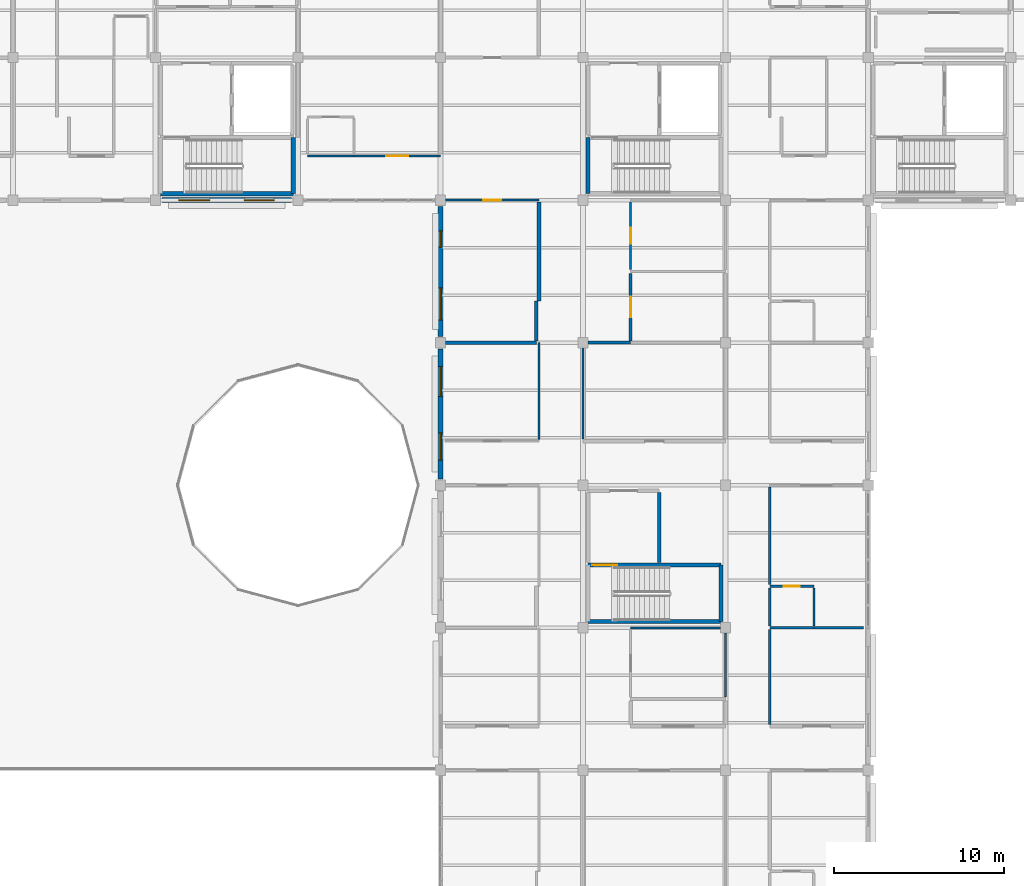
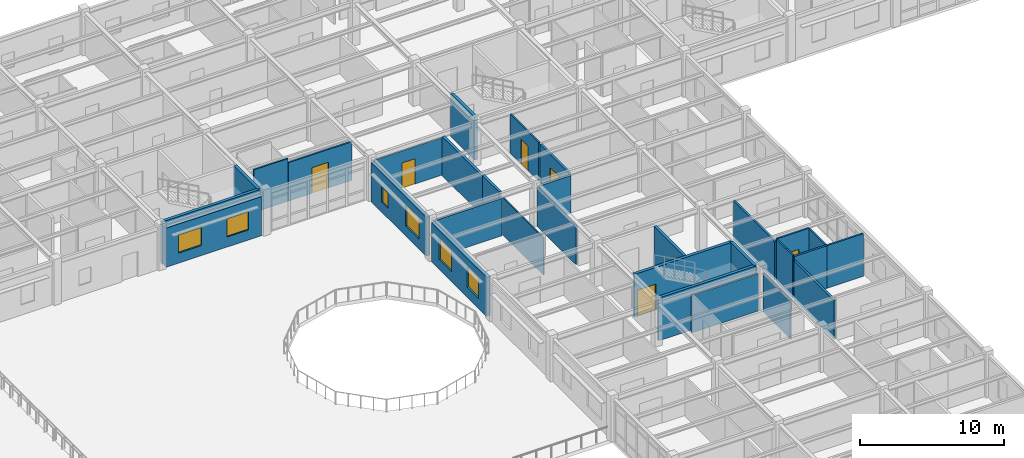
# One storey, part 59 of 86: 30 walls, 6 doors, 6 windows, 12 openings.
"""IFC4 building model written with IfcOpenShell, lengths in metres."""

from ifc_helpers import new_model, si_unit, direction, frame, frame_2d, origin, place, context, subcontext, project, spatial, rectangle, extrude, material, layer, layer_set, type_object, element, fill, save


model = new_model("IFC4")

# Units and contexts
model_context = context("Model", 3, precision=1e-05, world=origin(), true_north=direction((0.0, 1.0)))
body_context = subcontext(model_context, "Body", "Model", "MODEL_VIEW")
ifc_project = project(units=[si_unit("LENGTHUNIT", "METRE"), si_unit("AREAUNIT", "SQUARE_METRE"), si_unit("VOLUMEUNIT", "CUBIC_METRE"), si_unit("PLANEANGLEUNIT", "RADIAN"), si_unit("MASSUNIT", "GRAM", prefix="KILO")], contexts=[model_context])

# Site, building, storey
site_placement = place(None, origin())
site = spatial("IfcSite", under=ifc_project, at=site_placement, CompositionType="ELEMENT")
building_placement = place(site_placement, origin())
building = spatial("IfcBuilding", under=site, at=building_placement, Name="Bramfleet General Hospital", CompositionType="ELEMENT")
storey_placement = place(building_placement, frame((0.0, 0.0, 18.60009765625)))
storey = spatial("IfcBuildingStorey", under=building, at=storey_placement, Name="L04", CompositionType="ELEMENT", Elevation=18.60009765625)

# Wall, openings, windows
ifc_material_1 = material(Name="Precast concrete C40/50", Category="concrete")
ifc_layer_1 = layer(ifc_material_1, 0.31494140625, Name="WT-EW-04")
ifc_layer_set_1 = layer_set([ifc_layer_1], Name="Precast concrete C40/50")
wall_type_1 = type_object("IfcWallType", Name="WT-EW-04", PredefinedType="SOLIDWALL", material=ifc_layer_set_1)
wall_1_placement = place(storey_placement, frame((92.39990234375, 75.97509765625, 0.0), z_axis=(0.0, 0.0, 1.0), x_axis=(0.0, 1.0, 0.0)))
wall_1 = element("IfcWall", 1, at=wall_1_placement, inside=storey, type_object=wall_type_1, Name="L04 Exterior Wall 331", PredefinedType="SOLIDWALL", context=body_context, shape_type="SweptSolid", body=[
    extrude(rectangle(XDim=7.64990234375, YDim=0.31494140625, at=frame_2d((3.824951171875, 0.0))), origin(), (0.0, 0.0, 1.0), 3.309814453125),
])
opening_1_placement = place(wall_1_placement, frame((1.112548828125, 0.0, 0.85009765625)))
opening_1 = element("IfcOpeningElement", 2, at=opening_1_placement, cuts=wall_1, Name="Opening W-44", PredefinedType="OPENING", context=body_context, shape_type="SweptSolid", body=[
    extrude(rectangle(XDim=1.60009765625, YDim=1.780029296875, at=frame_2d((0.800048828125, 0.89013671875))), frame((0.0, 0.16748046875, 0.0), z_axis=(0.0, -1.0, 0.0), x_axis=(1.0, 0.0, 0.0)), (0.0, 0.0, 1.0), 0.3349609375),
])
opening_2_placement = place(wall_1_placement, frame((4.862548828125, 0.0, 0.85009765625)))
opening_2 = element("IfcOpeningElement", 3, at=opening_2_placement, cuts=wall_1, Name="Opening W-45", PredefinedType="OPENING", context=body_context, shape_type="SweptSolid", body=[
    extrude(rectangle(XDim=1.75, YDim=1.780029296875, at=frame_2d((0.875, 0.89013671875))), frame((0.0, 0.16748046875, 0.0), z_axis=(0.0, -1.0, 0.0), x_axis=(1.0, 0.0, 0.0)), (0.0, 0.0, 1.0), 0.3349609375),
])
ifc_material_2 = material(Name="Anodised aluminium and low-E triple glazing", Category="aluminium")
window_type_1 = type_object("IfcWindowType", Name="WIN-W-44", PartitioningType="SINGLE_PANEL", PredefinedType="WINDOW", material=ifc_material_2)
window_1_placement = place(opening_1_placement, origin())
window_1 = element("IfcWindow", 4, at=window_1_placement, inside=storey, type_object=window_type_1, Name="L04 Facade Window WIN-L04-331-1", OverallHeight=1.780029296875, OverallWidth=1.60009765625, PartitioningType="SINGLE_PANEL", PredefinedType="WINDOW", context=body_context, shape_type="SweptSolid", body=[
    extrude(rectangle(XDim=1.60009765625, YDim=1.780029296875, at=frame_2d((0.800048828125, 0.89013671875))), frame((0.0, 0.030029296875, 0.0), z_axis=(0.0, -1.0, 0.0), x_axis=(1.0, 0.0, 0.0)), (0.0, 0.0, 1.0), 0.06005859375),
])
fill(opening_1, window_1)
window_type_2 = type_object("IfcWindowType", Name="WIN-W-45", PartitioningType="SINGLE_PANEL", PredefinedType="WINDOW", material=ifc_material_2)
window_2_placement = place(opening_2_placement, origin())
window_2 = element("IfcWindow", 5, at=window_2_placement, inside=storey, type_object=window_type_2, Name="L04 Facade Window WIN-L04-331-2", OverallHeight=1.780029296875, OverallWidth=1.75, PartitioningType="SINGLE_PANEL", PredefinedType="WINDOW", context=body_context, shape_type="SweptSolid", body=[
    extrude(rectangle(XDim=1.75, YDim=1.780029296875, at=frame_2d((0.875, 0.89013671875))), frame((0.0, 0.030029296875, 0.0), z_axis=(0.0, -1.0, 0.0), x_axis=(1.0, 0.0, 0.0)), (0.0, 0.0, 1.0), 0.06005859375),
])
fill(opening_2, window_2)

ifc_layer_2 = layer(ifc_material_1, 0.294921875, Name="WT-EW-05")
ifc_layer_set_2 = layer_set([ifc_layer_2], Name="Precast concrete C40/50")
wall_type_2 = type_object("IfcWallType", Name="WT-EW-05", PredefinedType="SOLIDWALL", material=ifc_layer_set_2)
wall_2_placement = place(storey_placement, frame((83.625, 92.39990234375, 0.0), z_axis=(0.0, 0.0, 1.0), x_axis=(-1.0, 0.0, 0.0)))
wall_2 = element("IfcWall", 6, at=wall_2_placement, inside=storey, type_object=wall_type_2, Name="L04 Exterior Wall 276", PredefinedType="SOLIDWALL", context=body_context, shape_type="SweptSolid", body=[
    extrude(rectangle(XDim=7.64990234375, YDim=0.294921875, at=frame_2d((3.824951171875, 0.0))), origin(), (0.0, 0.0, 1.0), 3.309814453125),
])
opening_3_placement = place(wall_2_placement, frame((1.03759765625, 0.0, 0.85009765625)))
opening_3 = element("IfcOpeningElement", 7, at=opening_3_placement, cuts=wall_2, Name="Opening W-28", PredefinedType="OPENING", context=body_context, shape_type="SweptSolid", body=[
    extrude(rectangle(XDim=1.75, YDim=1.5400390625, at=frame_2d((0.875, 0.77001953125))), frame((0.0, 0.157470703125, 0.0), z_axis=(0.0, -1.0, 0.0), x_axis=(1.0, 0.0, 0.0)), (0.0, 0.0, 1.0), 0.31494140625),
])
opening_4_placement = place(wall_2_placement, frame((4.8125, 0.0, 0.85009765625)))
opening_4 = element("IfcOpeningElement", 8, at=opening_4_placement, cuts=wall_2, Name="Opening W-29", PredefinedType="OPENING", context=body_context, shape_type="SweptSolid", body=[
    extrude(rectangle(XDim=1.85009765625, YDim=1.5400390625, at=frame_2d((0.925048828125, 0.77001953125))), frame((0.0, 0.157470703125, 0.0), z_axis=(0.0, -1.0, 0.0), x_axis=(1.0, 0.0, 0.0)), (0.0, 0.0, 1.0), 0.31494140625),
])
window_type_3 = type_object("IfcWindowType", Name="WIN-W-28", PartitioningType="SINGLE_PANEL", PredefinedType="WINDOW", material=ifc_material_2)
window_3_placement = place(opening_3_placement, origin())
window_3 = element("IfcWindow", 9, at=window_3_placement, inside=storey, type_object=window_type_3, Name="L04 Facade Window WIN-L04-276-1", OverallHeight=1.5400390625, OverallWidth=1.75, PartitioningType="SINGLE_PANEL", PredefinedType="WINDOW", context=body_context, shape_type="SweptSolid", body=[
    extrude(rectangle(XDim=1.75, YDim=1.5400390625, at=frame_2d((0.875, 0.77001953125))), frame((0.0, 0.030029296875, 0.0), z_axis=(0.0, -1.0, 0.0), x_axis=(1.0, 0.0, 0.0)), (0.0, 0.0, 1.0), 0.06005859375),
])
fill(opening_3, window_3)
window_type_4 = type_object("IfcWindowType", Name="WIN-W-29", PartitioningType="SINGLE_PANEL", PredefinedType="WINDOW", material=ifc_material_2)
window_4_placement = place(opening_4_placement, origin())
window_4 = element("IfcWindow", 10, at=window_4_placement, inside=storey, type_object=window_type_4, Name="L04 Facade Window WIN-L04-276-2", OverallHeight=1.5400390625, OverallWidth=1.85009765625, PartitioningType="SINGLE_PANEL", PredefinedType="WINDOW", context=body_context, shape_type="SweptSolid", body=[
    extrude(rectangle(XDim=1.85009765625, YDim=1.5400390625, at=frame_2d((0.925048828125, 0.77001953125))), frame((0.0, 0.030029296875, 0.0), z_axis=(0.0, -1.0, 0.0), x_axis=(1.0, 0.0, 0.0)), (0.0, 0.0, 1.0), 0.06005859375),
])
fill(opening_4, window_4)

wall_3_placement = place(storey_placement, frame((92.39990234375, 84.375, 0.0), z_axis=(0.0, 0.0, 1.0), x_axis=(0.0, 1.0, 0.0)))
wall_3 = element("IfcWall", 11, at=wall_3_placement, inside=storey, type_object=wall_type_2, Name="L04 Exterior Wall 332", PredefinedType="SOLIDWALL", context=body_context, shape_type="SweptSolid", body=[
    extrude(rectangle(XDim=7.64990234375, YDim=0.294921875, at=frame_2d((3.824951171875, 0.0))), origin(), (0.0, 0.0, 1.0), 3.309814453125),
])
opening_5_placement = place(wall_3_placement, frame((0.96240234375, 0.0, 0.85009765625)))
opening_5 = element("IfcOpeningElement", 12, at=opening_5_placement, cuts=wall_3, Name="Opening W-46", PredefinedType="OPENING", context=body_context, shape_type="SweptSolid", body=[
    extrude(rectangle(XDim=1.89990234375, YDim=1.780029296875, at=frame_2d((0.949951171875, 0.89013671875))), frame((0.0, 0.157470703125, 0.0), z_axis=(0.0, -1.0, 0.0), x_axis=(1.0, 0.0, 0.0)), (0.0, 0.0, 1.0), 0.31494140625),
])
opening_6_placement = place(wall_3_placement, frame((5.262451171875, 0.0, 0.85009765625)))
opening_6 = element("IfcOpeningElement", 13, at=opening_6_placement, cuts=wall_3, Name="Opening W-01", PredefinedType="OPENING", context=body_context, shape_type="SweptSolid", body=[
    extrude(rectangle(XDim=0.949951171875, YDim=1.300048828125, at=frame_2d((0.47509765625, 0.64990234375))), frame((0.0, 0.157470703125, 0.0), z_axis=(0.0, -1.0, 0.0), x_axis=(1.0, 0.0, 0.0)), (0.0, 0.0, 1.0), 0.31494140625),
])
window_type_5 = type_object("IfcWindowType", Name="WIN-W-01", PartitioningType="SINGLE_PANEL", PredefinedType="WINDOW", material=ifc_material_2)
window_5_placement = place(opening_6_placement, origin())
window_5 = element("IfcWindow", 14, at=window_5_placement, inside=storey, type_object=window_type_5, Name="L04 Facade Window WIN-L04-332-2", OverallHeight=1.300048828125, OverallWidth=0.949951171875, PartitioningType="SINGLE_PANEL", PredefinedType="WINDOW", context=body_context, shape_type="SweptSolid", body=[
    extrude(rectangle(XDim=0.949951171875, YDim=1.300048828125, at=frame_2d((0.47509765625, 0.64990234375))), frame((0.0, 0.030029296875, 0.0), z_axis=(0.0, -1.0, 0.0), x_axis=(1.0, 0.0, 0.0)), (0.0, 0.0, 1.0), 0.06005859375),
])
fill(opening_6, window_5)
window_type_6 = type_object("IfcWindowType", Name="WIN-W-46", PartitioningType="SINGLE_PANEL", PredefinedType="WINDOW", material=ifc_material_2)
window_6_placement = place(opening_5_placement, origin())
window_6 = element("IfcWindow", 15, at=window_6_placement, inside=storey, type_object=window_type_6, Name="L04 Facade Window WIN-L04-332-1", OverallHeight=1.780029296875, OverallWidth=1.89990234375, PartitioningType="SINGLE_PANEL", PredefinedType="WINDOW", context=body_context, shape_type="SweptSolid", body=[
    extrude(rectangle(XDim=1.89990234375, YDim=1.780029296875, at=frame_2d((0.949951171875, 0.89013671875))), frame((0.0, 0.030029296875, 0.0), z_axis=(0.0, -1.0, 0.0), x_axis=(1.0, 0.0, 0.0)), (0.0, 0.0, 1.0), 0.06005859375),
])
fill(opening_5, window_6)

# Walls
ifc_material_3 = material(Name="Concrete C35/45", Category="concrete")
ifc_layer_3 = layer(ifc_material_3, 0.219970703125, Name="WT-IW-01")
ifc_layer_set_3 = layer_set([ifc_layer_3], Name="Concrete C35/45")
wall_type_3 = type_object("IfcWallType", Name="WT-IW-01", PredefinedType="PARTITIONING", material=ifc_layer_set_3)
wall_4_placement = place(storey_placement, frame((98.199951171875, 86.449951171875, 0.0), z_axis=(0.0, 0.0, 1.0), x_axis=(0.0, 1.0, 0.0)))
element("IfcWall", 16, at=wall_4_placement, inside=storey, type_object=wall_type_3, Name="L04 Interior Partition IW-L04-3349", PredefinedType="PARTITIONING", context=body_context, shape_type="SweptSolid", body=[
    extrude(rectangle(XDim=5.8349609375, YDim=0.219970703125, at=frame_2d((2.91748046875, 0.0))), origin(), (0.0, 0.0, 1.0), 3.309814453125),
])
ifc_layer_4 = layer(ifc_material_3, 0.205078125, Name="WT-IW-02")
ifc_layer_set_4 = layer_set([ifc_layer_4], Name="Concrete C35/45")
wall_type_4 = type_object("IfcWallType", Name="WT-IW-02", PredefinedType="PARTITIONING", material=ifc_layer_set_4)
wall_5_placement = place(storey_placement, frame((105.280029296875, 71.0400390625, 0.0), z_axis=(0.0, 0.0, 1.0), x_axis=(0.0, 1.0, 0.0)))
element("IfcWall", 17, at=wall_5_placement, inside=storey, type_object=wall_type_4, Name="L04 C11 Lobby East Shaft Wall", PredefinedType="PARTITIONING", context=body_context, shape_type="SweptSolid", body=[
    extrude(rectangle(XDim=4.119873046875, YDim=0.205078125, at=frame_2d((2.06005859375, 0.0))), origin(), (0.0, 0.0, 1.0), 3.60986328125),
])
wall_6_placement = place(storey_placement, frame((98.050048828125, 84.114990234375, 0.0), z_axis=(0.0, 0.0, 1.0), x_axis=(0.0, 1.0, 0.0)))
element("IfcWall", 18, at=wall_6_placement, inside=storey, type_object=wall_type_4, Name="L04 Interior Partition IW-L04-3338", PredefinedType="PARTITIONING", context=body_context, shape_type="SweptSolid", body=[
    extrude(rectangle(XDim=2.3349609375, YDim=0.205078125, at=frame_2d((1.16748046875, 0.0))), origin(), (0.0, 0.0, 1.0), 3.60986328125),
])
ifc_layer_5 = layer(ifc_material_3, 0.18994140625, Name="WT-IW-03")
ifc_layer_set_5 = layer_set([ifc_layer_5], Name="Concrete C35/45")
wall_type_5 = type_object("IfcWallType", Name="WT-IW-03", PredefinedType="PARTITIONING", material=ifc_layer_set_5)
wall_7_placement = place(storey_placement, frame((92.695068359375, 84.0, 0.0), z_axis=(0.0, 0.0, 1.0), x_axis=(1.0, 0.0, 0.0)))
element("IfcWall", 19, at=wall_7_placement, inside=storey, type_object=wall_type_5, Name="L04 Interior Partition IW-L04-3171", PredefinedType="PARTITIONING", context=body_context, shape_type="SweptSolid", body=[
    extrude(rectangle(XDim=5.35498046875, YDim=0.18994140625, at=frame_2d((2.677490234375, 0.0))), origin(), (0.0, 0.0, 1.0), 3.159912109375),
])
ifc_layer_6 = layer(ifc_material_3, 0.179931640625, Name="WT-IW-04")
ifc_layer_set_6 = layer_set([ifc_layer_6], Name="Concrete C35/45")
wall_type_6 = type_object("IfcWallType", Name="WT-IW-04", PredefinedType="PARTITIONING", material=ifc_layer_set_6)
wall_8_placement = place(storey_placement, frame((101.094970703125, 84.0, 0.0), z_axis=(0.0, 0.0, 1.0), x_axis=(1.0, 0.0, 0.0)))
element("IfcWall", 20, at=wall_8_placement, inside=storey, type_object=wall_type_6, Name="L04 Interior Partition IW-L04-3172", PredefinedType="PARTITIONING", context=body_context, shape_type="SweptSolid", body=[
    extrude(rectangle(XDim=2.505126953125, YDim=0.179931640625, at=frame_2d((1.25244140625, 0.0))), origin(), (0.0, 0.0, 1.0), 3.159912109375),
])

# Wall, opening, door
wall_9_placement = place(storey_placement, frame((103.60009765625, 84.114990234375, 0.0), z_axis=(0.0, 0.0, 1.0), x_axis=(0.0, 1.0, 0.0)))
wall_9 = element("IfcWall", 21, at=wall_9_placement, inside=storey, type_object=wall_type_6, Name="L04 Interior Partition IW-L04-3364", PredefinedType="PARTITIONING", context=body_context, shape_type="SweptSolid", body=[
    extrude(rectangle(XDim=3.969970703125, YDim=0.179931640625, at=frame_2d((1.98486328125, 0.0))), origin(), (0.0, 0.0, 1.0), 3.309814453125),
])
opening_7_placement = place(wall_9_placement, frame((1.375, 0.0, 0.0)))
opening_7 = element("IfcOpeningElement", 22, at=opening_7_placement, cuts=wall_9, Name="Opening D1271", PredefinedType="OPENING", context=body_context, shape_type="SweptSolid", body=[
    extrude(rectangle(XDim=1.219970703125, YDim=2.179931640625, at=frame_2d((0.60986328125, 1.08984375))), frame((0.0, 0.099853515625, 0.0), z_axis=(0.0, -1.0, 0.0), x_axis=(1.0, 0.0, 0.0)), (0.0, 0.0, 1.0), 0.199951171875),
])
ifc_material_4 = material(Name="Stainless steel and acoustic timber leaf", Category="steel")
door_type_1 = type_object("IfcDoorType", Name="DR-D-23", OperationType="NOTDEFINED", PredefinedType="DOOR", material=ifc_material_4)
door_1_placement = place(opening_7_placement, origin())
door_1 = element("IfcDoor", 23, at=door_1_placement, inside=storey, type_object=door_type_1, Name="Clean Medication and Treatment Room L04-1210 Door D1271", OperationType="SINGLE_SWING_RIGHT", OverallHeight=2.179931640625, OverallWidth=1.219970703125, PredefinedType="DOOR", context=body_context, shape_type="SweptSolid", body=[
    extrude(rectangle(XDim=1.219970703125, YDim=2.179931640625, at=frame_2d((0.60986328125, 1.08984375))), frame((0.0, 0.02490234375, 0.0), z_axis=(0.0, -1.0, 0.0), x_axis=(1.0, 0.0, 0.0)), (0.0, 0.0, 1.0), 0.050048828125),
])
fill(opening_7, door_1)

# Walls
ifc_material_5 = material(Name="Gypsum plasterboard on acoustic steel studs", Category="steel")
ifc_layer_7 = layer(ifc_material_5, 0.169921875, Name="WT-IW-05")
ifc_layer_set_7 = layer_set([ifc_layer_7], Name="Gypsum plasterboard on acoustic steel studs")
wall_type_7 = type_object("IfcWallType", Name="WT-IW-05", PredefinedType="PARTITIONING", material=ifc_layer_set_7)
wall_10_placement = place(storey_placement, frame((111.800048828125, 61.514892578125, 0.0), z_axis=(0.0, 0.0, 1.0), x_axis=(0.0, 1.0, 0.0)))
element("IfcWall", 24, at=wall_10_placement, inside=storey, type_object=wall_type_7, Name="L04 Interior Partition IW-L04-3389", PredefinedType="PARTITIONING", context=body_context, shape_type="SweptSolid", body=[
    extrude(rectangle(XDim=5.570068359375, YDim=0.169921875, at=frame_2d((2.78515625, 0.0))), origin(), (0.0, 0.0, 1.0), 3.309814453125),
])
ifc_layer_8 = layer(ifc_material_5, 0.14990234375, Name="WT-IW-07")
ifc_layer_set_8 = layer_set([ifc_layer_8], Name="Gypsum plasterboard on acoustic steel studs")
wall_type_8 = type_object("IfcWallType", Name="WT-IW-07", PredefinedType="PARTITIONING", material=ifc_layer_set_8)
wall_11_placement = place(storey_placement, frame((111.800048828125, 67.199951171875, 0.0), z_axis=(0.0, 0.0, 1.0), x_axis=(1.0, 0.0, 0.0)))
element("IfcWall", 25, at=wall_11_placement, inside=storey, type_object=wall_type_8, Name="L04 Interior Partition IW-L04-3163", PredefinedType="PARTITIONING", context=body_context, shape_type="SweptSolid", body=[
    extrude(rectangle(XDim=2.599853515625, YDim=0.14990234375, at=frame_2d((1.2998046875, 0.0))), origin(), (0.0, 0.0, 1.0), 3.60986328125),
])
wall_12_placement = place(storey_placement, frame((111.800048828125, 69.764892578125, 0.0), z_axis=(0.0, 0.0, 1.0), x_axis=(0.0, 1.0, 0.0)))
element("IfcWall", 26, at=wall_12_placement, inside=storey, type_object=wall_type_8, Name="L04 Interior Partition IW-L04-3391", PredefinedType="PARTITIONING", context=body_context, shape_type="SweptSolid", body=[
    extrude(rectangle(XDim=5.72021484375, YDim=0.14990234375, at=frame_2d((2.860107421875, 0.0))), origin(), (0.0, 0.0, 1.0), 3.309814453125),
])
ifc_layer_9 = layer(ifc_material_5, 0.139892578125, Name="WT-IW-08")
ifc_layer_set_9 = layer_set([ifc_layer_9], Name="Gypsum plasterboard on acoustic steel studs")
wall_type_9 = type_object("IfcWallType", Name="WT-IW-08", PredefinedType="PARTITIONING", material=ifc_layer_set_9)
wall_13_placement = place(storey_placement, frame((114.39990234375, 67.199951171875, 0.0), z_axis=(0.0, 0.0, 1.0), x_axis=(1.0, 0.0, 0.0)))
element("IfcWall", 27, at=wall_13_placement, inside=storey, type_object=wall_type_9, Name="L04 Interior Partition IW-L04-3164", PredefinedType="PARTITIONING", context=body_context, shape_type="SweptSolid", body=[
    extrude(rectangle(XDim=2.920166015625, YDim=0.139892578125, at=frame_2d((1.4599609375, 0.0))), origin(), (0.0, 0.0, 1.0), 3.60986328125),
])

# Wall, opening, door
wall_14_placement = place(storey_placement, frame((87.300048828125, 95.0, 0.0), z_axis=(0.0, 0.0, 1.0), x_axis=(1.0, 0.0, 0.0)))
wall_14 = element("IfcWall", 28, at=wall_14_placement, inside=storey, type_object=wall_type_9, Name="L04 Interior Partition IW-L04-3188", PredefinedType="PARTITIONING", context=body_context, shape_type="SweptSolid", body=[
    extrude(rectangle(XDim=5.099853515625, YDim=0.139892578125, at=frame_2d((2.5498046875, 0.0))), origin(), (0.0, 0.0, 1.0), 3.260009765625),
])
opening_8_placement = place(wall_14_placement, frame((1.889892578125, 0.0, 0.0)))
opening_8 = element("IfcOpeningElement", 29, at=opening_8_placement, cuts=wall_14, Name="Opening D1240", PredefinedType="OPENING", context=body_context, shape_type="SweptSolid", body=[
    extrude(rectangle(XDim=1.320068359375, YDim=2.179931640625, at=frame_2d((0.66015625, 1.08984375))), frame((0.0, 0.079833984375, 0.0), z_axis=(0.0, -1.0, 0.0), x_axis=(1.0, 0.0, 0.0)), (0.0, 0.0, 1.0), 0.159912109375),
])
door_type_2 = type_object("IfcDoorType", Name="DR-D-24", OperationType="NOTDEFINED", PredefinedType="DOOR", material=ifc_material_4)
door_2_placement = place(opening_8_placement, origin())
door_2 = element("IfcDoor", 30, at=door_2_placement, inside=storey, type_object=door_type_2, Name="Surgical Inpatient Ward Bedroom L04-1011 Door D1240", OperationType="SINGLE_SWING_LEFT", OverallHeight=2.179931640625, OverallWidth=1.320068359375, PredefinedType="DOOR", context=body_context, shape_type="SweptSolid", body=[
    extrude(rectangle(XDim=1.320068359375, YDim=2.179931640625, at=frame_2d((0.66015625, 1.08984375))), frame((0.0, 0.02490234375, 0.0), z_axis=(0.0, -1.0, 0.0), x_axis=(1.0, 0.0, 0.0)), (0.0, 0.0, 1.0), 0.050048828125),
])
fill(opening_8, door_2)

ifc_layer_10 = layer(ifc_material_5, 0.1298828125, Name="WT-IW-09")
ifc_layer_set_10 = layer_set([ifc_layer_10], Name="Gypsum plasterboard on acoustic steel studs")
wall_type_10 = type_object("IfcWallType", Name="WT-IW-09", PredefinedType="PARTITIONING", material=ifc_layer_set_10)
wall_15_placement = place(storey_placement, frame((111.800048828125, 69.64990234375, 0.0), z_axis=(0.0, 0.0, 1.0), x_axis=(1.0, 0.0, 0.0)))
wall_15 = element("IfcWall", 31, at=wall_15_placement, inside=storey, type_object=wall_type_10, Name="L04 Interior Partition IW-L04-3165", PredefinedType="PARTITIONING", context=body_context, shape_type="SweptSolid", body=[
    extrude(rectangle(XDim=2.599853515625, YDim=0.1298828125, at=frame_2d((1.2998046875, 0.0))), origin(), (0.0, 0.0, 1.0), 3.60986328125),
])
opening_9_placement = place(wall_15_placement, frame((0.824951171875, 0.0, 0.0)))
opening_9 = element("IfcOpeningElement", 32, at=opening_9_placement, cuts=wall_15, Name="Opening D1286", PredefinedType="OPENING", context=body_context, shape_type="SweptSolid", body=[
    extrude(rectangle(XDim=0.949951171875, YDim=2.10009765625, at=frame_2d((0.47509765625, 1.050048828125))), frame((0.0, 0.074951171875, 0.0), z_axis=(0.0, -1.0, 0.0), x_axis=(1.0, 0.0, 0.0)), (0.0, 0.0, 1.0), 0.14990234375),
])
door_type_3 = type_object("IfcDoorType", Name="DR-D-10", OperationType="NOTDEFINED", PredefinedType="DOOR", material=ifc_material_4)
door_3_placement = place(opening_9_placement, origin())
door_3 = element("IfcDoor", 33, at=door_3_placement, inside=storey, type_object=door_type_3, Name="En-Suite Bathroom L04-1308 Door D1286", OperationType="SINGLE_SWING_LEFT", OverallHeight=2.10009765625, OverallWidth=0.949951171875, PredefinedType="DOOR", context=body_context, shape_type="SweptSolid", body=[
    extrude(rectangle(XDim=0.949951171875, YDim=2.10009765625, at=frame_2d((0.47509765625, 1.050048828125))), frame((0.0, 0.02490234375, 0.0), z_axis=(0.0, -1.0, 0.0), x_axis=(1.0, 0.0, 0.0)), (0.0, 0.0, 1.0), 0.050048828125),
])
fill(opening_9, door_3)

# Walls
wall_16_placement = place(storey_placement, frame((100.800048828125, 78.31494140625, 0.0), z_axis=(0.0, 0.0, 1.0), x_axis=(0.0, 1.0, 0.0)))
element("IfcWall", 34, at=wall_16_placement, inside=storey, type_object=wall_type_10, Name="L04 Interior Partition IW-L04-3357", PredefinedType="PARTITIONING", context=body_context, shape_type="SweptSolid", body=[
    extrude(rectangle(XDim=5.39013671875, YDim=0.1298828125, at=frame_2d((2.695068359375, 0.0))), origin(), (0.0, 0.0, 1.0), 3.260009765625),
])
wall_17_placement = place(storey_placement, frame((114.39990234375, 67.31494140625, 0.0), z_axis=(0.0, 0.0, 1.0), x_axis=(0.0, 1.0, 0.0)))
element("IfcWall", 35, at=wall_17_placement, inside=storey, type_object=wall_type_10, Name="L04 Interior Partition IW-L04-3405", PredefinedType="PARTITIONING", context=body_context, shape_type="SweptSolid", body=[
    extrude(rectangle(XDim=2.219970703125, YDim=0.1298828125, at=frame_2d((1.10986328125, 0.0))), origin(), (0.0, 0.0, 1.0), 3.60986328125),
])
ifc_layer_11 = layer(ifc_material_5, 0.1201171875, Name="WT-IW-10")
ifc_layer_set_11 = layer_set([ifc_layer_11], Name="Gypsum plasterboard on acoustic steel studs")
wall_type_11 = type_object("IfcWallType", Name="WT-IW-10", PredefinedType="PARTITIONING", material=ifc_layer_set_11)
wall_18_placement = place(storey_placement, frame((103.60009765625, 67.199951171875, 0.0), z_axis=(0.0, 0.0, 1.0), x_axis=(1.0, 0.0, 0.0)))
element("IfcWall", 36, at=wall_18_placement, inside=storey, type_object=wall_type_11, Name="L04 Interior Partition IW-L04-3162", PredefinedType="PARTITIONING", context=body_context, shape_type="SweptSolid", body=[
    extrude(rectangle(XDim=5.304931640625, YDim=0.1201171875, at=frame_2d((2.65234375, 0.0))), origin(), (0.0, 0.0, 1.0), 3.159912109375),
])

# Wall, opening, door
wall_19_placement = place(storey_placement, frame((92.695068359375, 92.39990234375, 0.0), z_axis=(0.0, 0.0, 1.0), x_axis=(1.0, 0.0, 0.0)))
wall_19 = element("IfcWall", 37, at=wall_19_placement, inside=storey, type_object=wall_type_11, Name="L04 Interior Partition IW-L04-3178", PredefinedType="PARTITIONING", context=body_context, shape_type="SweptSolid", body=[
    extrude(rectangle(XDim=5.5048828125, YDim=0.1201171875, at=frame_2d((2.75244140625, 0.0))), origin(), (0.0, 0.0, 1.0), 3.159912109375),
])
opening_10_placement = place(wall_19_placement, frame((2.2275390625, 0.0, 0.0)))
opening_10 = element("IfcOpeningElement", 38, at=opening_10_placement, cuts=wall_19, Name="Opening D1257", PredefinedType="OPENING", context=body_context, shape_type="SweptSolid", body=[
    extrude(rectangle(XDim=1.050048828125, YDim=2.14990234375, at=frame_2d((0.52490234375, 1.074951171875))), frame((0.0, 0.070068359375, 0.0), z_axis=(0.0, -1.0, 0.0), x_axis=(1.0, 0.0, 0.0)), (0.0, 0.0, 1.0), 0.14013671875),
])
door_type_4 = type_object("IfcDoorType", Name="DR-D-09", OperationType="NOTDEFINED", PredefinedType="DOOR", material=ifc_material_4)
door_4_placement = place(opening_10_placement, origin())
door_4 = element("IfcDoor", 39, at=door_4_placement, inside=storey, type_object=door_type_4, Name="Surgical Inpatient Ward Bedroom L04-1110 Door D1257", OperationType="SINGLE_SWING_RIGHT", OverallHeight=2.14990234375, OverallWidth=1.050048828125, PredefinedType="DOOR", context=body_context, shape_type="SweptSolid", body=[
    extrude(rectangle(XDim=1.050048828125, YDim=2.14990234375, at=frame_2d((0.52490234375, 1.074951171875))), frame((0.0, 0.02490234375, 0.0), z_axis=(0.0, -1.0, 0.0), x_axis=(1.0, 0.0, 0.0)), (0.0, 0.0, 1.0), 0.050048828125),
])
fill(opening_10, door_4)

# Wall
wall_20_placement = place(storey_placement, frame((84.550048828125, 95.0, 0.0), z_axis=(0.0, 0.0, 1.0), x_axis=(1.0, 0.0, 0.0)))
element("IfcWall", 40, at=wall_20_placement, inside=storey, type_object=wall_type_11, Name="L04 Interior Partition IW-L04-3187", PredefinedType="PARTITIONING", context=body_context, shape_type="SweptSolid", body=[
    extrude(rectangle(XDim=2.75, YDim=0.1201171875, at=frame_2d((1.375, 0.0))), origin(), (0.0, 0.0, 1.0), 3.60986328125),
])

# Wall, opening, door
wall_21_placement = place(storey_placement, frame((103.60009765625, 88.31494140625, 0.0), z_axis=(0.0, 0.0, 1.0), x_axis=(0.0, 1.0, 0.0)))
wall_21 = element("IfcWall", 41, at=wall_21_placement, inside=storey, type_object=wall_type_11, Name="L04 Interior Partition IW-L04-3365", PredefinedType="PARTITIONING", context=body_context, shape_type="SweptSolid", body=[
    extrude(rectangle(XDim=3.969970703125, YDim=0.1201171875, at=frame_2d((1.98486328125, 0.0))), origin(), (0.0, 0.0, 1.0), 3.309814453125),
])
opening_11_placement = place(wall_21_placement, frame((1.510009765625, 0.0, 0.0)))
opening_11 = element("IfcOpeningElement", 42, at=opening_11_placement, cuts=wall_21, Name="Opening D1272", PredefinedType="OPENING", context=body_context, shape_type="SweptSolid", body=[
    extrude(rectangle(XDim=0.949951171875, YDim=2.10009765625, at=frame_2d((0.47509765625, 1.050048828125))), frame((0.0, 0.070068359375, 0.0), z_axis=(0.0, -1.0, 0.0), x_axis=(1.0, 0.0, 0.0)), (0.0, 0.0, 1.0), 0.14013671875),
])
door_5_placement = place(opening_11_placement, origin())
door_5 = element("IfcDoor", 43, at=door_5_placement, inside=storey, type_object=door_type_3, Name="L04 Accessible and Staff WC 1210 Door D1272", OperationType="SINGLE_SWING_LEFT", OverallHeight=2.10009765625, OverallWidth=0.949951171875, PredefinedType="DOOR", context=body_context, shape_type="SweptSolid", body=[
    extrude(rectangle(XDim=0.949951171875, YDim=2.10009765625, at=frame_2d((0.47509765625, 1.050048828125))), frame((0.0, 0.02490234375, 0.0), z_axis=(0.0, -1.0, 0.0), x_axis=(1.0, 0.0, 0.0)), (0.0, 0.0, 1.0), 0.050048828125),
])
fill(opening_11, door_5)

# Walls
wall_22_placement = place(storey_placement, frame((109.199951171875, 63.114990234375, 0.0), z_axis=(0.0, 0.0, 1.0), x_axis=(0.0, 1.0, 0.0)))
element("IfcWall", 44, at=wall_22_placement, inside=storey, type_object=wall_type_11, Name="L04 Interior Partition IW-L04-3374", PredefinedType="PARTITIONING", context=body_context, shape_type="SweptSolid", body=[
    extrude(rectangle(XDim=3.7900390625, YDim=0.1201171875, at=frame_2d((1.89501953125, 0.0))), origin(), (0.0, 0.0, 1.0), 3.260009765625),
])
wall_23_placement = place(storey_placement, frame((111.800048828125, 67.31494140625, 0.0), z_axis=(0.0, 0.0, 1.0), x_axis=(0.0, 1.0, 0.0)))
element("IfcWall", 45, at=wall_23_placement, inside=storey, type_object=wall_type_11, Name="L04 Interior Partition IW-L04-3390", PredefinedType="PARTITIONING", context=body_context, shape_type="SweptSolid", body=[
    extrude(rectangle(XDim=2.219970703125, YDim=0.1201171875, at=frame_2d((1.10986328125, 0.0))), origin(), (0.0, 0.0, 1.0), 3.60986328125),
])
ifc_layer_12 = layer(ifc_material_5, 0.10009765625, Name="WT-IW-12")
ifc_layer_set_12 = layer_set([ifc_layer_12], Name="Gypsum plasterboard on acoustic steel studs")
wall_type_12 = type_object("IfcWallType", Name="WT-IW-12", PredefinedType="PARTITIONING", material=ifc_layer_set_12)
wall_24_placement = place(storey_placement, frame((98.199951171875, 78.31494140625, 0.0), z_axis=(0.0, 0.0, 1.0), x_axis=(0.0, 1.0, 0.0)))
element("IfcWall", 46, at=wall_24_placement, inside=storey, type_object=wall_type_12, Name="L04 Interior Partition IW-L04-3348", PredefinedType="PARTITIONING", context=body_context, shape_type="SweptSolid", body=[
    extrude(rectangle(XDim=5.68505859375, YDim=0.10009765625, at=frame_2d((2.842529296875, 0.0))), origin(), (0.0, 0.0, 1.0), 3.159912109375),
])
ifc_material_6 = material(Name="Concrete C40/50", Category="concrete")
ifc_layer_13 = layer(ifc_material_6, 0.239990234375, Name="WT-SW-240")
ifc_layer_set_13 = layer_set([ifc_layer_13], Name="Concrete C40/50")
wall_type_13 = type_object("IfcWallType", Name="WT-SW-240", PredefinedType="SHEAR", material=ifc_layer_set_13)
wall_25_placement = place(storey_placement, frame((101.10009765625, 92.780029296875, 0.0), z_axis=(0.0, 0.0, 1.0), x_axis=(0.0, 1.0, 0.0)))
element("IfcWall", 47, at=wall_25_placement, inside=storey, type_object=wall_type_13, Name="L04 C4 West Stair Shear Wall", PredefinedType="SHEAR", context=body_context, shape_type="SweptSolid", body=[
    extrude(rectangle(XDim=3.320068359375, YDim=0.239990234375, at=frame_2d((1.66015625, 0.0))), origin(), (0.0, 0.0, 1.0), 3.619873046875),
])
wall_26_placement = place(storey_placement, frame((75.89990234375, 92.780029296875, 0.0), z_axis=(0.0, 0.0, 1.0), x_axis=(1.0, 0.0, 0.0)))
element("IfcWall", 48, at=wall_26_placement, inside=storey, type_object=wall_type_13, Name="L04 C5 South Stair Shear Wall", PredefinedType="SHEAR", context=body_context, shape_type="SweptSolid", body=[
    extrude(rectangle(XDim=7.820068359375, YDim=0.239990234375, at=frame_2d((3.91015625, 0.0))), origin(), (0.0, 0.0, 1.0), 3.619873046875),
])
wall_27_placement = place(storey_placement, frame((83.719970703125, 92.780029296875, 0.0), z_axis=(0.0, 0.0, 1.0), x_axis=(0.0, 1.0, 0.0)))
element("IfcWall", 49, at=wall_27_placement, inside=storey, type_object=wall_type_13, Name="L04 C5 East Stair Shear Wall", PredefinedType="SHEAR", context=body_context, shape_type="SweptSolid", body=[
    extrude(rectangle(XDim=3.320068359375, YDim=0.239990234375, at=frame_2d((1.66015625, 0.0))), origin(), (0.0, 0.0, 1.0), 3.619873046875),
])
wall_28_placement = place(storey_placement, frame((101.10009765625, 67.580078125, 0.0), z_axis=(0.0, 0.0, 1.0), x_axis=(1.0, 0.0, 0.0)))
element("IfcWall", 50, at=wall_28_placement, inside=storey, type_object=wall_type_13, Name="L04 C11 South Stair Shear Wall", PredefinedType="SHEAR", context=body_context, shape_type="SweptSolid", body=[
    extrude(rectangle(XDim=7.81982421875, YDim=0.239990234375, at=frame_2d((3.909912109375, 0.0))), origin(), (0.0, 0.0, 1.0), 3.619873046875),
])
wall_29_placement = place(storey_placement, frame((108.919921875, 67.580078125, 0.0), z_axis=(0.0, 0.0, 1.0), x_axis=(0.0, 1.0, 0.0)))
element("IfcWall", 51, at=wall_29_placement, inside=storey, type_object=wall_type_13, Name="L04 C11 East Stair Shear Wall", PredefinedType="SHEAR", context=body_context, shape_type="SweptSolid", body=[
    extrude(rectangle(XDim=3.31982421875, YDim=0.239990234375, at=frame_2d((1.659912109375, 0.0))), origin(), (0.0, 0.0, 1.0), 3.619873046875),
])

# Wall, opening, door
wall_30_placement = place(storey_placement, frame((101.10009765625, 70.89990234375, 0.0), z_axis=(0.0, 0.0, 1.0), x_axis=(1.0, 0.0, 0.0)))
wall_30 = element("IfcWall", 52, at=wall_30_placement, inside=storey, type_object=wall_type_13, Name="L04 C11 Stair-Lobby Shear Wall", PredefinedType="SHEAR", context=body_context, shape_type="SweptSolid", body=[
    extrude(rectangle(XDim=7.81982421875, YDim=0.239990234375, at=frame_2d((3.909912109375, 0.0))), origin(), (0.0, 0.0, 1.0), 3.619873046875),
])
opening_12_placement = place(wall_30_placement, frame((0.25, 0.0, 0.0)))
opening_12 = element("IfcOpeningElement", 53, at=opening_12_placement, cuts=wall_30, Name="Opening D0147", PredefinedType="OPENING", context=body_context, shape_type="SweptSolid", body=[
    extrude(rectangle(XDim=1.449951171875, YDim=2.199951171875, at=frame_2d((0.72509765625, 1.10009765625))), frame((0.0, 0.1298828125, 0.0), z_axis=(0.0, -1.0, 0.0), x_axis=(1.0, 0.0, 0.0)), (0.0, 0.0, 1.0), 0.260009765625),
])
door_type_5 = type_object("IfcDoorType", Name="DR-D-03", OperationType="NOTDEFINED", PredefinedType="DOOR", material=ifc_material_4)
door_6_placement = place(opening_12_placement, origin())
door_6 = element("IfcDoor", 54, at=door_6_placement, inside=storey, type_object=door_type_5, Name="L04 C11 Escape Stair Fire Door D0147", OperationType="SINGLE_SWING_RIGHT", OverallHeight=2.199951171875, OverallWidth=1.449951171875, PredefinedType="DOOR", context=body_context, shape_type="SweptSolid", body=[
    extrude(rectangle(XDim=1.449951171875, YDim=2.199951171875, at=frame_2d((0.72509765625, 1.10009765625))), frame((0.0, 0.02490234375, 0.0), z_axis=(0.0, -1.0, 0.0), x_axis=(1.0, 0.0, 0.0)), (0.0, 0.0, 1.0), 0.050048828125),
])
fill(opening_12, door_6)

save(model, "model.ifc")
